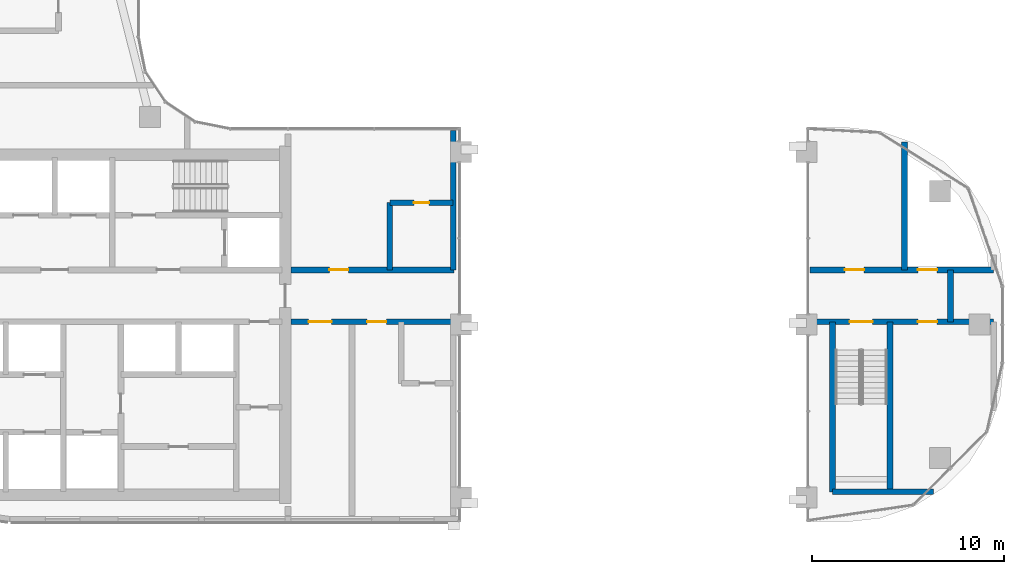
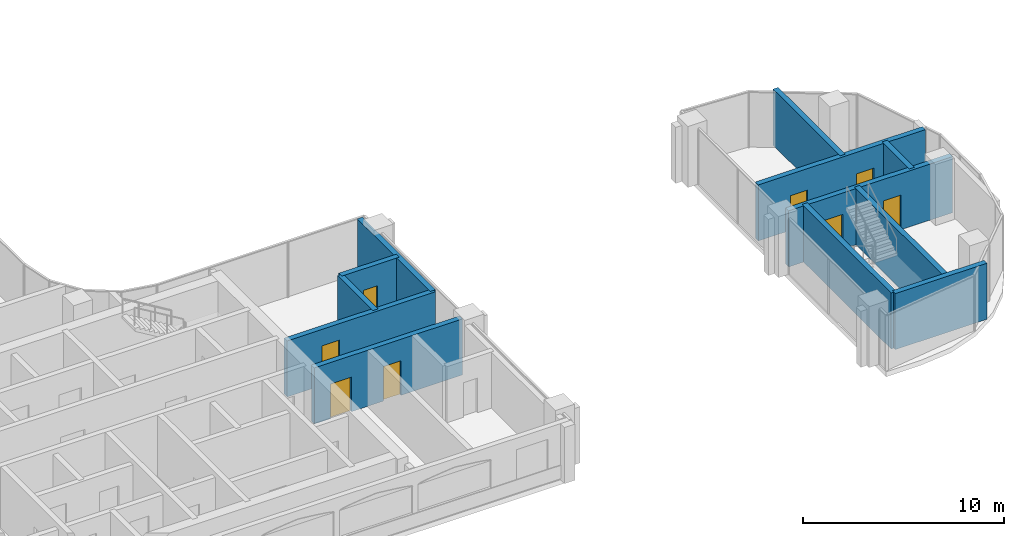
# One storey, part 12 of 23: 12 walls, 8 doors, 8 openings.
"""IFC4 building model written with IfcOpenShell, lengths in metres."""

from ifc_helpers import new_model, si_unit, direction, frame, frame_2d, origin, place, context, subcontext, project, spatial, rectangle, extrude, material, layer, layer_set, type_object, element, fill, save


model = new_model("IFC4")

# Units and contexts
model_context = context("Model", 3, precision=1e-05, world=origin(), true_north=direction((0.0, 1.0)))
body_context = subcontext(model_context, "Body", "Model", "MODEL_VIEW")
ifc_project = project(units=[si_unit("LENGTHUNIT", "METRE"), si_unit("AREAUNIT", "SQUARE_METRE"), si_unit("VOLUMEUNIT", "CUBIC_METRE"), si_unit("PLANEANGLEUNIT", "RADIAN"), si_unit("MASSUNIT", "GRAM", prefix="KILO")], contexts=[model_context])

# Site, building, storey
site_placement = place(None, origin())
site = spatial("IfcSite", under=ifc_project, at=site_placement, CompositionType="ELEMENT")
building_placement = place(site_placement, origin())
building = spatial("IfcBuilding", under=site, at=building_placement, Name="Ogive Portal Towers", CompositionType="ELEMENT")
storey_placement = place(building_placement, frame((0.0, 0.0, 164.39990234375)))
storey = spatial("IfcBuildingStorey", under=building, at=storey_placement, Name="L40", CompositionType="ELEMENT", Elevation=164.39990234375)

# Wall
ifc_material_1 = material(Name="Concrete C50/60", Category="concrete")
ifc_layer_1 = layer(ifc_material_1, 0.300048828125)
ifc_layer_set_1 = layer_set([ifc_layer_1], Name="STAIR WALL 300 C50")
wall_type_1 = type_object("IfcWallType", Name="STAIR WALL 300 C50", PredefinedType="SHEAR", material=ifc_layer_set_1)
wall_1_placement = place(storey_placement, frame((86.85009765625, 21.800048828125, 0.0), z_axis=(0.0, 0.0, 1.0), x_axis=(1.0, 0.0, 0.0)))
element("IfcWall", 1, at=wall_1_placement, inside=storey, type_object=wall_type_1, Name="Stair wall ST-A4 L40", PredefinedType="SHEAR", context=body_context, shape_type="SweptSolid", body=[
    extrude(rectangle(XDim=5.263916015625, YDim=0.300048828125, at=frame_2d((2.6318359375, 0.0))), origin(), (0.0, 0.0, 1.0), 3.400146484375),
])

# Wall, openings, doors
wall_2_placement = place(storey_placement, frame((85.85009765625, 30.64990234375, 0.0), z_axis=(0.0, 0.0, 1.0), x_axis=(1.0, 0.0, 0.0)))
wall_2 = element("IfcWall", 2, at=wall_2_placement, inside=storey, type_object=wall_type_1, Name="Stair wall ST-A4 L40", PredefinedType="SHEAR", context=body_context, shape_type="SweptSolid", body=[
    extrude(rectangle(XDim=9.39990234375, YDim=0.300048828125, at=frame_2d((4.699951171875, 0.0))), origin(), (0.0, 0.0, 1.0), 3.400146484375),
])
opening_1_placement = place(wall_2_placement, frame((1.89990234375, 0.0, 0.0)))
opening_1 = element("IfcOpeningElement", 3, at=opening_1_placement, cuts=wall_2, Name="Opening D16-048", PredefinedType="OPENING", context=body_context, shape_type="SweptSolid", body=[
    extrude(rectangle(XDim=1.199951171875, YDim=2.10009765625, at=frame_2d((0.60009765625, 1.050048828125))), frame((0.0, 0.16015625, 0.0), z_axis=(0.0, -1.0, 0.0), x_axis=(1.0, 0.0, 0.0)), (0.0, 0.0, 1.0), 0.320068359375),
])
opening_2_placement = place(wall_2_placement, frame((5.449951171875, 0.0, 0.0)))
opening_2 = element("IfcOpeningElement", 4, at=opening_2_placement, cuts=wall_2, Name="Opening D16-051", PredefinedType="OPENING", context=body_context, shape_type="SweptSolid", body=[
    extrude(rectangle(XDim=1.0, YDim=2.10009765625, at=frame_2d((0.5, 1.050048828125))), frame((0.0, 0.16015625, 0.0), z_axis=(0.0, -1.0, 0.0), x_axis=(1.0, 0.0, 0.0)), (0.0, 0.0, 1.0), 0.320068359375),
])
ifc_material_2 = material(Name="Steel fire door", Category="steel")
door_type_1 = type_object("IfcDoorType", Name="DT-SERVICE-1000x2100-FD90S", OperationType="SINGLE_SWING_LEFT", PredefinedType="DOOR", material=ifc_material_2)
door_1_placement = place(opening_2_placement, origin())
door_1 = element("IfcDoor", 5, at=door_1_placement, inside=storey, type_object=door_type_1, Name="Door D16-051", OperationType="SINGLE_SWING_LEFT", OverallHeight=2.10009765625, OverallWidth=1.0, PredefinedType="DOOR", context=body_context, shape_type="SweptSolid", body=[
    extrude(rectangle(XDim=1.0, YDim=2.10009765625, at=frame_2d((0.5, 1.050048828125))), frame((0.0, 0.02490234375, 0.0), z_axis=(0.0, -1.0, 0.0), x_axis=(1.0, 0.0, 0.0)), (0.0, 0.0, 1.0), 0.050048828125),
])
fill(opening_2, door_1)
door_type_2 = type_object("IfcDoorType", Name="DT-STAIR-1200x2100-FD90S", OperationType="SINGLE_SWING_LEFT", PredefinedType="DOOR", material=ifc_material_2)
door_2_placement = place(opening_1_placement, origin())
door_2 = element("IfcDoor", 6, at=door_2_placement, inside=storey, type_object=door_type_2, Name="Door D16-048", OperationType="SINGLE_SWING_LEFT", OverallHeight=2.10009765625, OverallWidth=1.199951171875, PredefinedType="DOOR", context=body_context, shape_type="SweptSolid", body=[
    extrude(rectangle(XDim=1.199951171875, YDim=2.10009765625, at=frame_2d((0.60009765625, 1.050048828125))), frame((0.0, 0.02490234375, 0.0), z_axis=(0.0, -1.0, 0.0), x_axis=(1.0, 0.0, 0.0)), (0.0, 0.0, 1.0), 0.050048828125),
])
fill(opening_1, door_2)

# Walls
for number, where, z_axis, x_axis, name in (
    (7, (86.85009765625, 21.800048828125, 0.0), (0.0, 0.0, 1.0), (0.0, 1.0, 0.0), "Stair wall ST-A4 L40"),
    (8, (89.85009765625, 21.800048828125, 0.0), (0.0, 0.0, 1.0), (0.0, 1.0, 0.0), "Stair wall ST-A4 L40"),
):
    element("IfcWall", number, at=place(storey_placement, frame(where, z_axis=z_axis, x_axis=x_axis)), inside=storey, type_object=wall_type_1, Name=name, PredefinedType="SHEAR", context=body_context, shape_type="SweptSolid", body=[
        extrude(rectangle(XDim=8.849853515625, YDim=0.300048828125, at=frame_2d((4.4248046875, 0.0))), origin(), (0.0, 0.0, 1.0), 3.400146484375),
    ])

# Wall, openings, doors
ifc_material_3 = material(Name="Gypsum board partition on steel studs", Category="steel")
ifc_layer_2 = layer(ifc_material_3, 0.300048828125)
ifc_layer_set_2 = layer_set([ifc_layer_2], Name="WT-PART-300-EI 120")
wall_type_2 = type_object("IfcWallType", Name="WT-PART-300-EI 120", PredefinedType="PARTITIONING", material=ifc_layer_set_2)
wall_3_placement = place(storey_placement, frame((58.64990234375, 30.64990234375, 0.0), z_axis=(0.0, 0.0, 1.0), x_axis=(1.0, 0.0, 0.0)))
wall_3 = element("IfcWall", 9, at=wall_3_placement, inside=storey, type_object=wall_type_2, Name="Wall L40:w003", PredefinedType="PARTITIONING", context=body_context, shape_type="SweptSolid", body=[
    extrude(rectangle(XDim=8.5, YDim=0.300048828125, at=frame_2d((4.25, 0.0))), origin(), (0.0, 0.0, 1.0), 3.400146484375),
])
opening_3_placement = place(wall_3_placement, frame((0.9189453125, 0.0, 0.0)))
opening_3 = element("IfcOpeningElement", 10, at=opening_3_placement, cuts=wall_3, Name="Opening D16-028", PredefinedType="OPENING", context=body_context, shape_type="SweptSolid", body=[
    extrude(rectangle(XDim=1.199951171875, YDim=2.10009765625, at=frame_2d((0.60009765625, 1.050048828125))), frame((0.0, 0.16015625, 0.0), z_axis=(0.0, -1.0, 0.0), x_axis=(1.0, 0.0, 0.0)), (0.0, 0.0, 1.0), 0.320068359375),
])
opening_4_placement = place(wall_3_placement, frame((3.968994140625, 0.0, 0.0)))
opening_4 = element("IfcOpeningElement", 11, at=opening_4_placement, cuts=wall_3, Name="Opening D16-030", PredefinedType="OPENING", context=body_context, shape_type="SweptSolid", body=[
    extrude(rectangle(XDim=1.0, YDim=2.10009765625, at=frame_2d((0.5, 1.050048828125))), frame((0.0, 0.16015625, 0.0), z_axis=(0.0, -1.0, 0.0), x_axis=(1.0, 0.0, 0.0)), (0.0, 0.0, 1.0), 0.320068359375),
])
door_type_3 = type_object("IfcDoorType", Name="DT-ENTRY-1000x2100-FD90S", OperationType="SINGLE_SWING_LEFT", PredefinedType="DOOR", material=ifc_material_2)
door_3_placement = place(opening_4_placement, origin())
door_3 = element("IfcDoor", 12, at=door_3_placement, inside=storey, type_object=door_type_3, Name="Door D16-030", OperationType="SINGLE_SWING_LEFT", OverallHeight=2.10009765625, OverallWidth=1.0, PredefinedType="DOOR", context=body_context, shape_type="SweptSolid", body=[
    extrude(rectangle(XDim=1.0, YDim=2.10009765625, at=frame_2d((0.5, 1.050048828125))), frame((0.0, 0.02490234375, 0.0), z_axis=(0.0, -1.0, 0.0), x_axis=(1.0, 0.0, 0.0)), (0.0, 0.0, 1.0), 0.050048828125),
])
fill(opening_4, door_3)
door_type_4 = type_object("IfcDoorType", Name="DT-ENTRY-1200x2100-FD90S", OperationType="SINGLE_SWING_LEFT", PredefinedType="DOOR", material=ifc_material_2)
door_4_placement = place(opening_3_placement, origin())
door_4 = element("IfcDoor", 13, at=door_4_placement, inside=storey, type_object=door_type_4, Name="Door D16-028", OperationType="SINGLE_SWING_RIGHT", OverallHeight=2.10009765625, OverallWidth=1.199951171875, PredefinedType="DOOR", context=body_context, shape_type="SweptSolid", body=[
    extrude(rectangle(XDim=1.199951171875, YDim=2.10009765625, at=frame_2d((0.60009765625, 1.050048828125))), frame((0.0, 0.02490234375, 0.0), z_axis=(0.0, -1.0, 0.0), x_axis=(1.0, 0.0, 0.0)), (0.0, 0.0, 1.0), 0.050048828125),
])
fill(opening_3, door_4)

# Wall, opening, door
wall_4_placement = place(storey_placement, frame((58.64990234375, 33.35009765625, 0.0), z_axis=(0.0, 0.0, 1.0), x_axis=(1.0, 0.0, 0.0)))
wall_4 = element("IfcWall", 14, at=wall_4_placement, inside=storey, type_object=wall_type_2, Name="Wall L40:w005", PredefinedType="PARTITIONING", context=body_context, shape_type="SweptSolid", body=[
    extrude(rectangle(XDim=8.5, YDim=0.300048828125, at=frame_2d((4.25, 0.0))), origin(), (0.0, 0.0, 1.0), 3.400146484375),
])
opening_5_placement = place(wall_4_placement, frame((2.0, 0.0, 0.0)))
opening_5 = element("IfcOpeningElement", 15, at=opening_5_placement, cuts=wall_4, Name="Opening D16-027", PredefinedType="OPENING", context=body_context, shape_type="SweptSolid", body=[
    extrude(rectangle(XDim=1.0, YDim=2.39990234375, at=frame_2d((0.5, 1.199951171875))), frame((0.0, 0.16015625, 0.0), z_axis=(0.0, -1.0, 0.0), x_axis=(1.0, 0.0, 0.0)), (0.0, 0.0, 1.0), 0.320068359375),
])
door_type_5 = type_object("IfcDoorType", Name="DT-ENTRY-1000x2400-FD90S", OperationType="SINGLE_SWING_LEFT", PredefinedType="DOOR", material=ifc_material_2)
door_5_placement = place(opening_5_placement, origin())
door_5 = element("IfcDoor", 16, at=door_5_placement, inside=storey, type_object=door_type_5, Name="Door D16-027", OperationType="SINGLE_SWING_LEFT", OverallHeight=2.39990234375, OverallWidth=1.0, PredefinedType="DOOR", context=body_context, shape_type="SweptSolid", body=[
    extrude(rectangle(XDim=1.0, YDim=2.39990234375, at=frame_2d((0.5, 1.199951171875))), frame((0.0, 0.02490234375, 0.0), z_axis=(0.0, -1.0, 0.0), x_axis=(1.0, 0.0, 0.0)), (0.0, 0.0, 1.0), 0.050048828125),
])
fill(opening_5, door_5)

# Wall, openings, doors
wall_5_placement = place(storey_placement, frame((85.669921875, 33.35009765625, 0.0), z_axis=(0.0, 0.0, 1.0), x_axis=(1.0, 0.0, 0.0)))
wall_5 = element("IfcWall", 17, at=wall_5_placement, inside=storey, type_object=wall_type_2, Name="Wall L40:w006", PredefinedType="PARTITIONING", context=body_context, shape_type="SweptSolid", body=[
    extrude(rectangle(XDim=9.580078125, YDim=0.300048828125, at=frame_2d((4.7900390625, 0.0))), origin(), (0.0, 0.0, 1.0), 3.400146484375),
])
opening_6_placement = place(wall_5_placement, frame((1.830078125, 0.0, 0.0)))
opening_6 = element("IfcOpeningElement", 18, at=opening_6_placement, cuts=wall_5, Name="Opening D16-049", PredefinedType="OPENING", context=body_context, shape_type="SweptSolid", body=[
    extrude(rectangle(XDim=1.0, YDim=2.10009765625, at=frame_2d((0.5, 1.050048828125))), frame((0.0, 0.16015625, 0.0), z_axis=(0.0, -1.0, 0.0), x_axis=(1.0, 0.0, 0.0)), (0.0, 0.0, 1.0), 0.320068359375),
])
opening_7_placement = place(wall_5_placement, frame((5.6298828125, 0.0, 0.0)))
opening_7 = element("IfcOpeningElement", 19, at=opening_7_placement, cuts=wall_5, Name="Opening D16-050", PredefinedType="OPENING", context=body_context, shape_type="SweptSolid", body=[
    extrude(rectangle(XDim=1.0, YDim=2.10009765625, at=frame_2d((0.5, 1.050048828125))), frame((0.0, 0.16015625, 0.0), z_axis=(0.0, -1.0, 0.0), x_axis=(1.0, 0.0, 0.0)), (0.0, 0.0, 1.0), 0.320068359375),
])
door_6_placement = place(opening_6_placement, origin())
door_6 = element("IfcDoor", 20, at=door_6_placement, inside=storey, type_object=door_type_1, Name="Door D16-049", OperationType="SINGLE_SWING_LEFT", OverallHeight=2.10009765625, OverallWidth=1.0, PredefinedType="DOOR", context=body_context, shape_type="SweptSolid", body=[
    extrude(rectangle(XDim=1.0, YDim=2.10009765625, at=frame_2d((0.5, 1.050048828125))), frame((0.0, 0.02490234375, 0.0), z_axis=(0.0, -1.0, 0.0), x_axis=(1.0, 0.0, 0.0)), (0.0, 0.0, 1.0), 0.050048828125),
])
fill(opening_6, door_6)
door_7_placement = place(opening_7_placement, origin())
door_7 = element("IfcDoor", 21, at=door_7_placement, inside=storey, type_object=door_type_1, Name="Riser access door D16-050", OperationType="SINGLE_SWING_RIGHT", OverallHeight=2.10009765625, OverallWidth=1.0, PredefinedType="DOOR", context=body_context, shape_type="SweptSolid", body=[
    extrude(rectangle(XDim=1.0, YDim=2.10009765625, at=frame_2d((0.5, 1.050048828125))), frame((0.0, 0.02490234375, 0.0), z_axis=(0.0, -1.0, 0.0), x_axis=(1.0, 0.0, 0.0)), (0.0, 0.0, 1.0), 0.050048828125),
])
fill(opening_7, door_7)

# Wall
wall_6_placement = place(storey_placement, frame((93.0, 30.64990234375, 0.0), z_axis=(0.0, 0.0, 1.0), x_axis=(0.0, 1.0, 0.0)))
element("IfcWall", 22, at=wall_6_placement, inside=storey, type_object=wall_type_2, Name="Wall L40:w047", PredefinedType="PARTITIONING", context=body_context, shape_type="SweptSolid", body=[
    extrude(rectangle(XDim=2.7001953125, YDim=0.300048828125, at=frame_2d((1.35009765625, 0.0))), origin(), (0.0, 0.0, 1.0), 3.400146484375),
])

# Wall, opening, door
ifc_layer_3 = layer(ifc_material_3, 0.300048828125)
ifc_layer_set_3 = layer_set([ifc_layer_3], Name="WT-PART-300-EI 60")
wall_type_3 = type_object("IfcWallType", Name="WT-PART-300-EI 60", PredefinedType="PARTITIONING", material=ifc_layer_set_3)
wall_7_placement = place(storey_placement, frame((63.800048828125, 36.85009765625, 0.0), z_axis=(0.0, 0.0, 1.0), x_axis=(1.0, 0.0, 0.0)))
wall_7 = element("IfcWall", 23, at=wall_7_placement, inside=storey, type_object=wall_type_3, Name="Wall L40:w007", PredefinedType="PARTITIONING", context=body_context, shape_type="SweptSolid", body=[
    extrude(rectangle(XDim=3.300048828125, YDim=0.300048828125, at=frame_2d((1.64990234375, 0.0))), origin(), (0.0, 0.0, 1.0), 3.400146484375),
])
opening_8_placement = place(wall_7_placement, frame((1.25, 0.0, 0.0)))
opening_8 = element("IfcOpeningElement", 24, at=opening_8_placement, cuts=wall_7, Name="Opening D16-026", PredefinedType="OPENING", context=body_context, shape_type="SweptSolid", body=[
    extrude(rectangle(XDim=0.800048828125, YDim=2.10009765625, at=frame_2d((0.39990234375, 1.050048828125))), frame((0.0, 0.16015625, 0.0), z_axis=(0.0, -1.0, 0.0), x_axis=(1.0, 0.0, 0.0)), (0.0, 0.0, 1.0), 0.320068359375),
])
door_type_6 = type_object("IfcDoorType", Name="DT-BATH-800x2100-FD60S", OperationType="SINGLE_SWING_LEFT", PredefinedType="DOOR", material=ifc_material_2)
door_8_placement = place(opening_8_placement, origin())
door_8 = element("IfcDoor", 25, at=door_8_placement, inside=storey, type_object=door_type_6, Name="Door D16-026", OperationType="SINGLE_SWING_LEFT", OverallHeight=2.10009765625, OverallWidth=0.800048828125, PredefinedType="DOOR", context=body_context, shape_type="SweptSolid", body=[
    extrude(rectangle(XDim=0.800048828125, YDim=2.10009765625, at=frame_2d((0.39990234375, 1.050048828125))), frame((0.0, 0.02490234375, 0.0), z_axis=(0.0, -1.0, 0.0), x_axis=(1.0, 0.0, 0.0)), (0.0, 0.0, 1.0), 0.050048828125),
])
fill(opening_8, door_8)

# Walls
wall_8_placement = place(storey_placement, frame((63.800048828125, 33.35009765625, 0.0), z_axis=(0.0, 0.0, 1.0), x_axis=(0.0, 1.0, 0.0)))
element("IfcWall", 26, at=wall_8_placement, inside=storey, type_object=wall_type_3, Name="Wall L40:w040", PredefinedType="PARTITIONING", context=body_context, shape_type="SweptSolid", body=[
    extrude(rectangle(XDim=3.5, YDim=0.300048828125, at=frame_2d((1.75, 0.0))), origin(), (0.0, 0.0, 1.0), 3.400146484375),
])
wall_9_placement = place(storey_placement, frame((67.10009765625, 33.35009765625, 0.0), z_axis=(0.0, 0.0, 1.0), x_axis=(0.0, 1.0, 0.0)))
element("IfcWall", 27, at=wall_9_placement, inside=storey, type_object=wall_type_3, Name="Wall L40:w043", PredefinedType="PARTITIONING", context=body_context, shape_type="SweptSolid", body=[
    extrude(rectangle(XDim=7.264892578125, YDim=0.300048828125, at=frame_2d((3.63232421875, 0.0))), origin(), (0.0, 0.0, 1.0), 3.400146484375),
])
wall_10_placement = place(storey_placement, frame((90.60009765625, 33.35009765625, 0.0), z_axis=(0.0, 0.0, 1.0), x_axis=(0.0, 1.0, 0.0)))
element("IfcWall", 28, at=wall_10_placement, inside=storey, type_object=wall_type_3, Name="Wall L40:w046", PredefinedType="PARTITIONING", context=body_context, shape_type="SweptSolid", body=[
    extrude(rectangle(XDim=6.671875, YDim=0.300048828125, at=frame_2d((3.3359375, 0.0))), origin(), (0.0, 0.0, 1.0), 3.400146484375),
])

save(model, "model.ifc")
